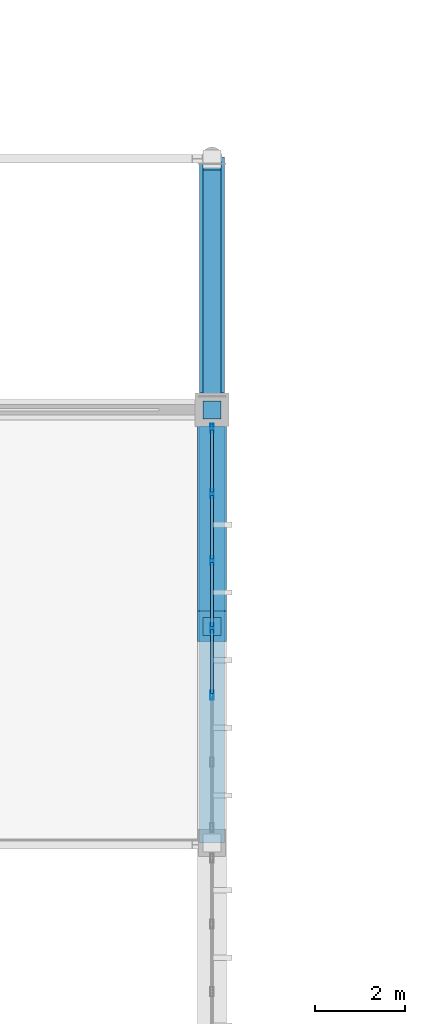
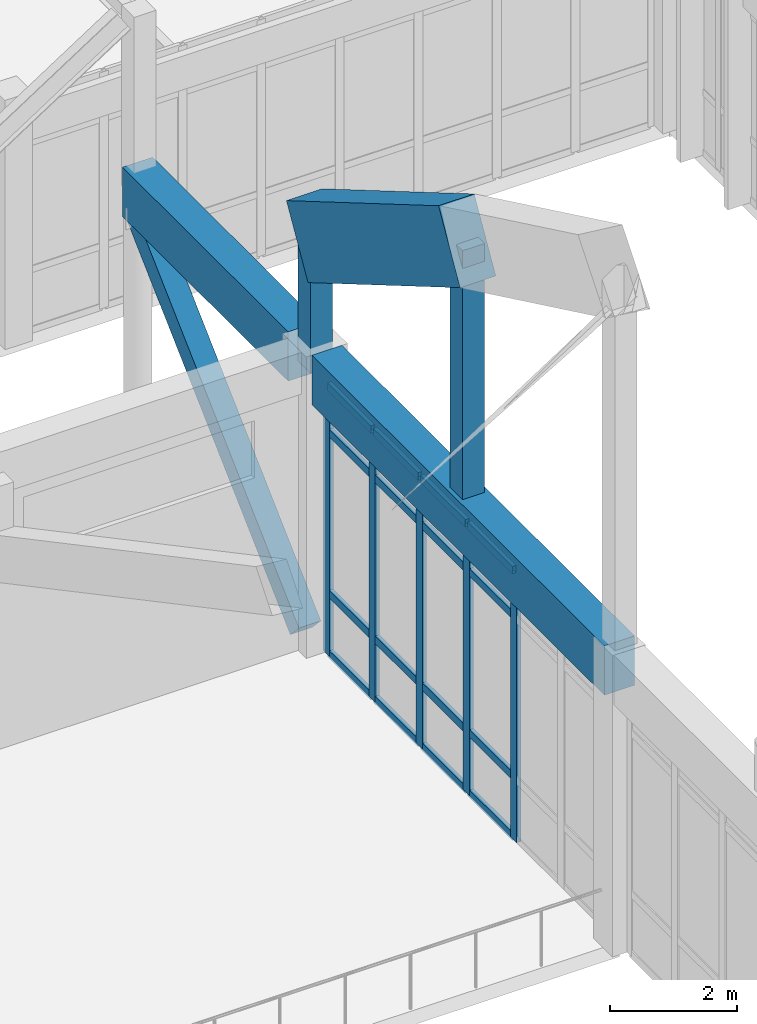
# One storey, part 160 of 236: 25 members, 2 beams, 1 element without a shape of its own.
"""IFC4 building model written with IfcOpenShell, lengths in metres."""

from ifc_helpers import new_model, si_unit, direction, frame, origin, origin_2d, place, context, subcontext, project, spatial, rectangle, hollow_rectangle, extrude, material, layer, layer_set, material_profile, profile_set, type_object, element, aggregate, save


model = new_model("IFC4")

# Units and contexts
model_context = context("Model", 3, precision=1e-05, world=origin(), true_north=direction((0.0, 1.0)))
body_context = subcontext(model_context, "Body", "Model", "MODEL_VIEW")
ifc_project = project(units=[si_unit("LENGTHUNIT", "METRE"), si_unit("AREAUNIT", "SQUARE_METRE"), si_unit("VOLUMEUNIT", "CUBIC_METRE"), si_unit("PLANEANGLEUNIT", "RADIAN"), si_unit("MASSUNIT", "GRAM", prefix="KILO")], contexts=[model_context])

# Site, building, storey
site_placement = place(None, origin())
site = spatial("IfcSite", under=ifc_project, at=site_placement, CompositionType="ELEMENT")
building_placement = place(site_placement, origin())
building = spatial("IfcBuilding", under=site, at=building_placement, Name="Pandanus Reach Market Hall", CompositionType="ELEMENT")
storey_placement = place(building_placement, frame((0.0, 0.0, 5.39990234375)))
storey = spatial("IfcBuildingStorey", under=building, at=storey_placement, Name="L01", CompositionType="ELEMENT", Elevation=5.39990234375)

# Members
ifc_material_1 = material(Name="Concrete N50 (50 MPa)", Category="concrete")
ifc_material_profile_1 = material_profile(ifc_material_1, rectangle(XDim=0.64990234375, YDim=1.35009765625, at=origin_2d()), Name="RC650x1350", Category="LoadBearing")
ifc_profile_set_1 = profile_set([ifc_material_profile_1], Name="Concrete N50 (50 MPa)")
member_type_1 = type_object("IfcMemberType", Name="AR-RC650-E", PredefinedType="CHORD", material=ifc_profile_set_1)
member_1_placement = place(storey_placement, frame((132.0, 81.60009765625, 10.59130859375), z_axis=(0.0, 0.862886095496, -0.505398443013), x_axis=(-1.0, 0.0, 0.0)))
element("IfcMember", 1, at=member_1_placement, inside=storey, type_object=member_type_1, Name="Parabolic arch top chord A8.12", PredefinedType="CHORD", context=body_context, shape_type="SweptSolid", body=[
    extrude(rectangle(XDim=0.64990234375, YDim=1.35009765625, at=origin_2d()), origin(), (0.0, 0.0, 1.0), 5.5625),
])
ifc_material_profile_2 = material_profile(ifc_material_1, rectangle(XDim=0.39990234375, YDim=0.39990234375, at=origin_2d()), Name="RC400x400", Category="LoadBearing")
ifc_profile_set_2 = profile_set([ifc_material_profile_2], Name="Concrete N50 (50 MPa)")
member_type_2 = type_object("IfcMemberType", Name="AR-WEB400-E", PredefinedType="STRUT", material=ifc_profile_set_2)
member_2_placement = place(storey_placement, frame((132.0, 86.39990234375, 5.3251953125), z_axis=(0.0, 0.0, 1.0), x_axis=(1.0, 0.0, 0.0)))
element("IfcMember", 2, at=member_2_placement, inside=storey, type_object=member_type_2, Name="Arch springing concrete strut A8.N", PredefinedType="STRUT", context=body_context, shape_type="SweptSolid", body=[
    extrude(rectangle(XDim=0.39990234375, YDim=0.39990234375, at=origin_2d()), origin(), (0.0, 0.0, 1.0), 2.454833984375),
])
member_3_placement = place(storey_placement, frame((132.0, 81.60009765625, 5.3251953125), z_axis=(0.0, 0.0, 1.0), x_axis=(1.0, 0.0, 0.0)))
element("IfcMember", 3, at=member_3_placement, inside=storey, type_object=member_type_2, Name="Arch truss vertical web strut A8.11", PredefinedType="STRUT", context=body_context, shape_type="SweptSolid", body=[
    extrude(rectangle(XDim=0.39990234375, YDim=0.39990234375, at=origin_2d()), origin(), (0.0, 0.0, 1.0), 5.26611328125),
])

# Beams
ifc_material_profile_3 = material_profile(ifc_material_1, rectangle(XDim=0.550048828125, YDim=0.949951171875, at=origin_2d()), Name="RC550x950", Category="LoadBearing")
ifc_profile_set_3 = profile_set([ifc_material_profile_3], Name="Concrete N50 (50 MPa)")
beam_type = type_object("IfcBeamType", Name="BM-RC550-E", PredefinedType="BEAM", material=ifc_profile_set_3)
beam_1_placement = place(storey_placement, frame((132.0, 76.800048828125, 5.3251953125), z_axis=(0.0, 1.0, 0.0), x_axis=(-1.0, 0.0, 0.0)))
element("IfcBeam", 4, at=beam_1_placement, inside=storey, type_object=beam_type, Name="Parabolic arch tie girder A8.6", PredefinedType="BEAM", context=body_context, shape_type="SweptSolid", body=[
    extrude(rectangle(XDim=0.550048828125, YDim=0.949951171875, at=origin_2d()), origin(), (0.0, 0.0, 1.0), 9.22705078125),
])
beam_2_placement = place(storey_placement, frame((132.0, 86.77001953125, 5.3251953125), z_axis=(0.0, 1.0, 0.0), x_axis=(-1.0, 0.0, 0.0)))
element("IfcBeam", 5, at=beam_2_placement, inside=storey, type_object=beam_type, Name="Zigzag north eaves cantilever girder A8N", PredefinedType="BEAM", context=body_context, shape_type="SweptSolid", body=[
    extrude(rectangle(XDim=0.550048828125, YDim=0.949951171875, at=origin_2d()), origin(), (0.0, 0.0, 1.0), 5.22998046875),
])

# Curtain wall, members
ifc_material_2 = material(Name="Bronze anodised aluminium and low-E glass", Category="aluminium")
ifc_layer = layer(ifc_material_2, 0.199951171875, Name="CW-04")
ifc_layer_set = layer_set([ifc_layer], Name="Bronze anodised aluminium and low-E glass")
curtain_wall_type = type_object("IfcCurtainWallType", Name="CW-04", PredefinedType="NOTDEFINED", material=ifc_layer_set)
curtain_wall_placement = place(storey_placement, origin())
curtain_wall = element("IfcCurtainWall", 6, at=curtain_wall_placement, inside=storey, type_object=curtain_wall_type, Name="Glazed curtain wall CW-04 CW-0037", PredefinedType="NOTDEFINED")
ifc_material_3 = material(Name="Bronze anodised aluminium", Category="aluminium")
ifc_material_profile_4 = material_profile(ifc_material_3, hollow_rectangle(XDim=0.074951171875, YDim=0.199951171875, WallThickness=0.00439453125, at=origin_2d()), Name="ALU75x200", Category="LoadBearing")
ifc_profile_set_4 = profile_set([ifc_material_profile_4], Name="Bronze anodised aluminium")
member_type_3 = type_object("IfcMemberType", Name="CW-M2", PredefinedType="MULLION", material=ifc_profile_set_4)
member_4_placement = place(storey_placement, frame((132.0, 80.074951171875, 0.0), z_axis=(0.0, 0.0, 1.0), x_axis=(-1.0, 0.0, 0.0)))
member_4 = element("IfcMember", 7, at=member_4_placement, type_object=member_type_3, Name="CW-04 mullion 3", PredefinedType="MULLION", context=body_context, shape_type="SweptSolid", body=[
    extrude(hollow_rectangle(XDim=0.074951171875, YDim=0.199951171875, WallThickness=0.00439453125, at=origin_2d()), origin(), (0.0, 0.0, 1.0), 5.2001953125),
])
member_5_placement = place(storey_placement, frame((132.0, 81.5625, 0.0), z_axis=(0.0, 0.0, 1.0), x_axis=(-1.0, 0.0, 0.0)))
member_5 = element("IfcMember", 8, at=member_5_placement, type_object=member_type_3, Name="CW-04 mullion 4", PredefinedType="MULLION", context=body_context, shape_type="SweptSolid", body=[
    extrude(hollow_rectangle(XDim=0.074951171875, YDim=0.199951171875, WallThickness=0.00439453125, at=origin_2d()), origin(), (0.0, 0.0, 1.0), 5.2001953125),
])
member_6_placement = place(storey_placement, frame((132.0, 83.050048828125, 0.0), z_axis=(0.0, 0.0, 1.0), x_axis=(-1.0, 0.0, 0.0)))
member_6 = element("IfcMember", 9, at=member_6_placement, type_object=member_type_3, Name="CW-04 mullion 5", PredefinedType="MULLION", context=body_context, shape_type="SweptSolid", body=[
    extrude(hollow_rectangle(XDim=0.074951171875, YDim=0.199951171875, WallThickness=0.00439453125, at=origin_2d()), origin(), (0.0, 0.0, 1.0), 5.2001953125),
])
member_7_placement = place(storey_placement, frame((132.0, 84.53759765625, 0.0), z_axis=(0.0, 0.0, 1.0), x_axis=(-1.0, 0.0, 0.0)))
member_7 = element("IfcMember", 10, at=member_7_placement, type_object=member_type_3, Name="CW-04 mullion 6", PredefinedType="MULLION", context=body_context, shape_type="SweptSolid", body=[
    extrude(hollow_rectangle(XDim=0.074951171875, YDim=0.199951171875, WallThickness=0.00439453125, at=origin_2d()), origin(), (0.0, 0.0, 1.0), 5.2001953125),
])
member_8_placement = place(storey_placement, frame((132.0, 85.987548828125, 0.0), z_axis=(0.0, 0.0, 1.0), x_axis=(-1.0, 0.0, 0.0)))
member_8 = element("IfcMember", 11, at=member_8_placement, type_object=member_type_3, Name="CW-04 mullion 7", PredefinedType="MULLION", context=body_context, shape_type="SweptSolid", body=[
    extrude(hollow_rectangle(XDim=0.074951171875, YDim=0.199951171875, WallThickness=0.00439453125, at=origin_2d()), origin(), (0.0, 0.0, 1.0), 5.2001953125),
])
ifc_material_profile_5 = material_profile(ifc_material_3, hollow_rectangle(XDim=0.074951171875, YDim=0.14990234375, WallThickness=0.00439453125, at=origin_2d()), Name="ALU75x150", Category="LoadBearing")
ifc_profile_set_5 = profile_set([ifc_material_profile_5], Name="Bronze anodised aluminium")
member_type_4 = type_object("IfcMemberType", Name="CW-T2", PredefinedType="USERDEFINED", material=ifc_profile_set_5)
member_9_placement = place(storey_placement, frame((132.0, 80.112548828125, 0.03759765625), z_axis=(0.0, 1.0, 0.0), x_axis=(-1.0, 0.0, 0.0)))
member_9 = element("IfcMember", 12, at=member_9_placement, type_object=member_type_4, Name="CW-04 transom 3.1", ObjectType="TRANSOM", PredefinedType="USERDEFINED", context=body_context, shape_type="SweptSolid", body=[
    extrude(hollow_rectangle(XDim=0.074951171875, YDim=0.14990234375, WallThickness=0.00439453125, at=origin_2d()), origin(), (0.0, 0.0, 1.0), 1.412353515625),
])
member_10_placement = place(storey_placement, frame((132.0, 80.112548828125, 1.2001953125), z_axis=(0.0, 1.0, 0.0), x_axis=(-1.0, 0.0, 0.0)))
member_10 = element("IfcMember", 13, at=member_10_placement, type_object=member_type_4, Name="CW-04 transom 3.2", ObjectType="TRANSOM", PredefinedType="USERDEFINED", context=body_context, shape_type="SweptSolid", body=[
    extrude(hollow_rectangle(XDim=0.074951171875, YDim=0.14990234375, WallThickness=0.00439453125, at=origin_2d()), origin(), (0.0, 0.0, 1.0), 1.412353515625),
])
member_11_placement = place(storey_placement, frame((132.0, 80.112548828125, 4.300048828125), z_axis=(0.0, 1.0, 0.0), x_axis=(-1.0, 0.0, 0.0)))
member_11 = element("IfcMember", 14, at=member_11_placement, type_object=member_type_4, Name="CW-04 transom 3.3", ObjectType="TRANSOM", PredefinedType="USERDEFINED", context=body_context, shape_type="SweptSolid", body=[
    extrude(hollow_rectangle(XDim=0.074951171875, YDim=0.14990234375, WallThickness=0.00439453125, at=origin_2d()), origin(), (0.0, 0.0, 1.0), 1.412353515625),
])
member_12_placement = place(storey_placement, frame((132.0, 80.112548828125, 5.16259765625), z_axis=(0.0, 1.0, 0.0), x_axis=(-1.0, 0.0, 0.0)))
member_12 = element("IfcMember", 15, at=member_12_placement, type_object=member_type_4, Name="CW-04 transom 3.4", ObjectType="TRANSOM", PredefinedType="USERDEFINED", context=body_context, shape_type="SweptSolid", body=[
    extrude(hollow_rectangle(XDim=0.074951171875, YDim=0.14990234375, WallThickness=0.00439453125, at=origin_2d()), origin(), (0.0, 0.0, 1.0), 1.412353515625),
])
member_13_placement = place(storey_placement, frame((132.0, 81.60009765625, 0.03759765625), z_axis=(0.0, 1.0, 0.0), x_axis=(-1.0, 0.0, 0.0)))
member_13 = element("IfcMember", 16, at=member_13_placement, type_object=member_type_4, Name="CW-04 transom 4.1", ObjectType="TRANSOM", PredefinedType="USERDEFINED", context=body_context, shape_type="SweptSolid", body=[
    extrude(hollow_rectangle(XDim=0.074951171875, YDim=0.14990234375, WallThickness=0.00439453125, at=origin_2d()), origin(), (0.0, 0.0, 1.0), 1.412353515625),
])
member_14_placement = place(storey_placement, frame((132.0, 81.60009765625, 1.2001953125), z_axis=(0.0, 1.0, 0.0), x_axis=(-1.0, 0.0, 0.0)))
member_14 = element("IfcMember", 17, at=member_14_placement, type_object=member_type_4, Name="CW-04 transom 4.2", ObjectType="TRANSOM", PredefinedType="USERDEFINED", context=body_context, shape_type="SweptSolid", body=[
    extrude(hollow_rectangle(XDim=0.074951171875, YDim=0.14990234375, WallThickness=0.00439453125, at=origin_2d()), origin(), (0.0, 0.0, 1.0), 1.412353515625),
])
member_15_placement = place(storey_placement, frame((132.0, 81.60009765625, 4.300048828125), z_axis=(0.0, 1.0, 0.0), x_axis=(-1.0, 0.0, 0.0)))
member_15 = element("IfcMember", 18, at=member_15_placement, type_object=member_type_4, Name="CW-04 transom 4.3", ObjectType="TRANSOM", PredefinedType="USERDEFINED", context=body_context, shape_type="SweptSolid", body=[
    extrude(hollow_rectangle(XDim=0.074951171875, YDim=0.14990234375, WallThickness=0.00439453125, at=origin_2d()), origin(), (0.0, 0.0, 1.0), 1.412353515625),
])
member_16_placement = place(storey_placement, frame((132.0, 81.60009765625, 5.16259765625), z_axis=(0.0, 1.0, 0.0), x_axis=(-1.0, 0.0, 0.0)))
member_16 = element("IfcMember", 19, at=member_16_placement, type_object=member_type_4, Name="CW-04 transom 4.4", ObjectType="TRANSOM", PredefinedType="USERDEFINED", context=body_context, shape_type="SweptSolid", body=[
    extrude(hollow_rectangle(XDim=0.074951171875, YDim=0.14990234375, WallThickness=0.00439453125, at=origin_2d()), origin(), (0.0, 0.0, 1.0), 1.412353515625),
])
member_17_placement = place(storey_placement, frame((132.0, 83.08740234375, 0.03759765625), z_axis=(0.0, 1.0, 0.0), x_axis=(-1.0, 0.0, 0.0)))
member_17 = element("IfcMember", 20, at=member_17_placement, type_object=member_type_4, Name="CW-04 transom 5.1", ObjectType="TRANSOM", PredefinedType="USERDEFINED", context=body_context, shape_type="SweptSolid", body=[
    extrude(hollow_rectangle(XDim=0.074951171875, YDim=0.14990234375, WallThickness=0.00439453125, at=origin_2d()), origin(), (0.0, 0.0, 1.0), 1.41259765625),
])
member_18_placement = place(storey_placement, frame((132.0, 83.08740234375, 1.2001953125), z_axis=(0.0, 1.0, 0.0), x_axis=(-1.0, 0.0, 0.0)))
member_18 = element("IfcMember", 21, at=member_18_placement, type_object=member_type_4, Name="CW-04 transom 5.2", ObjectType="TRANSOM", PredefinedType="USERDEFINED", context=body_context, shape_type="SweptSolid", body=[
    extrude(hollow_rectangle(XDim=0.074951171875, YDim=0.14990234375, WallThickness=0.00439453125, at=origin_2d()), origin(), (0.0, 0.0, 1.0), 1.41259765625),
])
member_19_placement = place(storey_placement, frame((132.0, 83.08740234375, 4.300048828125), z_axis=(0.0, 1.0, 0.0), x_axis=(-1.0, 0.0, 0.0)))
member_19 = element("IfcMember", 22, at=member_19_placement, type_object=member_type_4, Name="CW-04 transom 5.3", ObjectType="TRANSOM", PredefinedType="USERDEFINED", context=body_context, shape_type="SweptSolid", body=[
    extrude(hollow_rectangle(XDim=0.074951171875, YDim=0.14990234375, WallThickness=0.00439453125, at=origin_2d()), origin(), (0.0, 0.0, 1.0), 1.41259765625),
])
member_20_placement = place(storey_placement, frame((132.0, 83.08740234375, 5.16259765625), z_axis=(0.0, 1.0, 0.0), x_axis=(-1.0, 0.0, 0.0)))
member_20 = element("IfcMember", 23, at=member_20_placement, type_object=member_type_4, Name="CW-04 transom 5.4", ObjectType="TRANSOM", PredefinedType="USERDEFINED", context=body_context, shape_type="SweptSolid", body=[
    extrude(hollow_rectangle(XDim=0.074951171875, YDim=0.14990234375, WallThickness=0.00439453125, at=origin_2d()), origin(), (0.0, 0.0, 1.0), 1.41259765625),
])
member_21_placement = place(storey_placement, frame((132.0, 84.574951171875, 0.03759765625), z_axis=(0.0, 1.0, 0.0), x_axis=(-1.0, 0.0, 0.0)))
member_21 = element("IfcMember", 24, at=member_21_placement, type_object=member_type_4, Name="CW-04 transom 6.1", ObjectType="TRANSOM", PredefinedType="USERDEFINED", context=body_context, shape_type="SweptSolid", body=[
    extrude(hollow_rectangle(XDim=0.074951171875, YDim=0.14990234375, WallThickness=0.00439453125, at=origin_2d()), origin(), (0.0, 0.0, 1.0), 1.375),
])
member_22_placement = place(storey_placement, frame((132.0, 84.574951171875, 1.2001953125), z_axis=(0.0, 1.0, 0.0), x_axis=(-1.0, 0.0, 0.0)))
member_22 = element("IfcMember", 25, at=member_22_placement, type_object=member_type_4, Name="CW-04 transom 6.2", ObjectType="TRANSOM", PredefinedType="USERDEFINED", context=body_context, shape_type="SweptSolid", body=[
    extrude(hollow_rectangle(XDim=0.074951171875, YDim=0.14990234375, WallThickness=0.00439453125, at=origin_2d()), origin(), (0.0, 0.0, 1.0), 1.375),
])
member_23_placement = place(storey_placement, frame((132.0, 84.574951171875, 4.300048828125), z_axis=(0.0, 1.0, 0.0), x_axis=(-1.0, 0.0, 0.0)))
member_23 = element("IfcMember", 26, at=member_23_placement, type_object=member_type_4, Name="CW-04 transom 6.3", ObjectType="TRANSOM", PredefinedType="USERDEFINED", context=body_context, shape_type="SweptSolid", body=[
    extrude(hollow_rectangle(XDim=0.074951171875, YDim=0.14990234375, WallThickness=0.00439453125, at=origin_2d()), origin(), (0.0, 0.0, 1.0), 1.375),
])
member_24_placement = place(storey_placement, frame((132.0, 84.574951171875, 5.16259765625), z_axis=(0.0, 1.0, 0.0), x_axis=(-1.0, 0.0, 0.0)))
member_24 = element("IfcMember", 27, at=member_24_placement, type_object=member_type_4, Name="CW-04 transom 6.4", ObjectType="TRANSOM", PredefinedType="USERDEFINED", context=body_context, shape_type="SweptSolid", body=[
    extrude(hollow_rectangle(XDim=0.074951171875, YDim=0.14990234375, WallThickness=0.00439453125, at=origin_2d()), origin(), (0.0, 0.0, 1.0), 1.375),
])
aggregate(curtain_wall, [member_4, member_5, member_6, member_7, member_8, member_9, member_10, member_11, member_12, member_13, member_14, member_15, member_16, member_17, member_18, member_19, member_20, member_21, member_22, member_23, member_24])

# Member
ifc_material_profile_6 = material_profile(ifc_material_1, rectangle(XDim=0.39990234375, YDim=0.39990234375, at=origin_2d()), Name="RC400x400", Category="LoadBearing")
ifc_profile_set_6 = profile_set([ifc_material_profile_6], Name="Concrete N50 (50 MPa)")
member_type_5 = type_object("IfcMemberType", Name="VS-RC400-E", PredefinedType="STRUT", material=ifc_profile_set_6)
member_25_placement = place(storey_placement, frame((132.0, 86.699951171875, 0.050048828125), z_axis=(0.0, 0.727995304502, 0.685582115157), x_axis=(-1.0, 0.0, 0.0)))
element("IfcMember", 28, at=member_25_placement, inside=storey, type_object=member_type_5, Name="Splayed concrete north arcade V-strut A8N", PredefinedType="STRUT", context=body_context, shape_type="SweptSolid", body=[
    extrude(rectangle(XDim=0.39990234375, YDim=0.39990234375, at=origin_2d()), origin(), (0.0, 0.0, 1.0), 7.074462890625),
])

save(model, "model.ifc")
